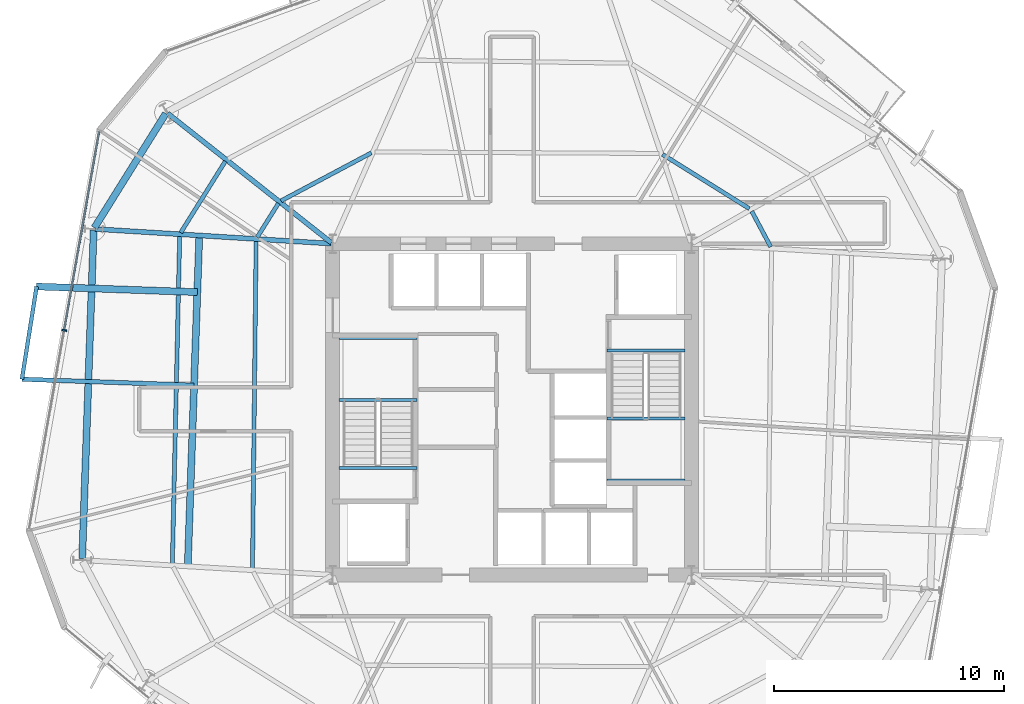
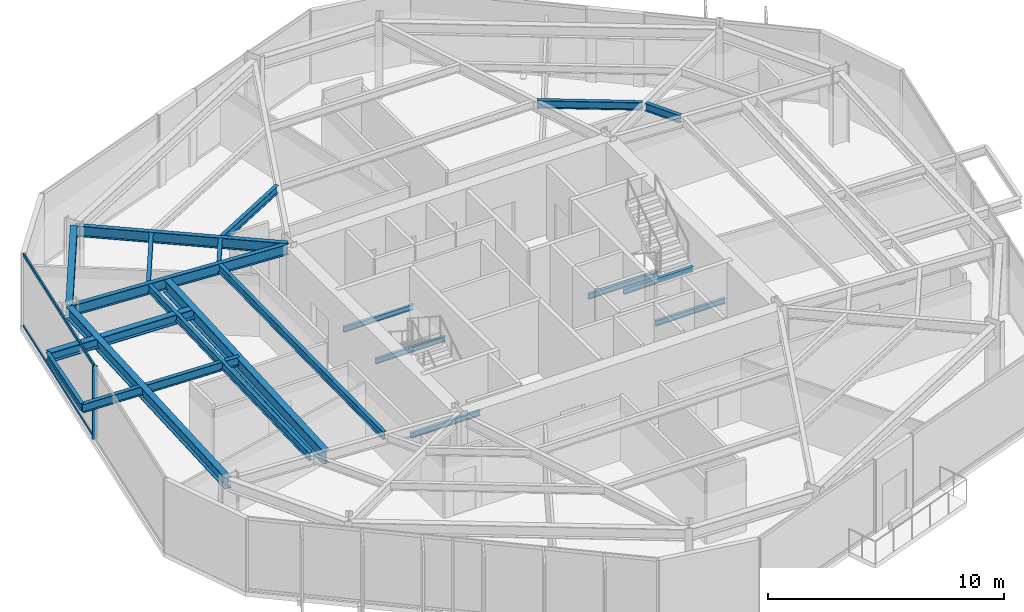
# One storey, part 3 of 13: 21 beams, 3 members, 1 element without a shape of its own.
"""IFC4 building model written with IfcOpenShell, lengths in metres."""

from ifc_helpers import new_model, si_unit, direction, frame, origin, origin_2d, place, context, subcontext, project, spatial, rectangle, i_section, extrude, material, layer, layer_set, material_profile, profile_set, type_object, element, aggregate, save


model = new_model("IFC4")

# Units and contexts
model_context = context("Model", 3, precision=1e-05, world=origin(), true_north=direction((0.0, 1.0)))
body_context = subcontext(model_context, "Body", "Model", "MODEL_VIEW")
ifc_project = project(units=[si_unit("LENGTHUNIT", "METRE"), si_unit("AREAUNIT", "SQUARE_METRE"), si_unit("VOLUMEUNIT", "CUBIC_METRE"), si_unit("PLANEANGLEUNIT", "RADIAN"), si_unit("MASSUNIT", "GRAM", prefix="KILO")], contexts=[model_context])

# Site, building, storey
site_placement = place(None, origin())
site = spatial("IfcSite", under=ifc_project, at=site_placement, CompositionType="ELEMENT")
building_placement = place(site_placement, origin())
building = spatial("IfcBuilding", under=site, at=building_placement, Name="Kranzbogen Civic Tower", CompositionType="ELEMENT")
storey_placement = place(building_placement, frame((0.0, 0.0, 102.39990234375)))
storey = spatial("IfcBuildingStorey", under=building, at=storey_placement, Name="L24", CompositionType="ELEMENT", Elevation=102.39990234375)

# Beam
ifc_material_1 = material(Name="Steel S355", Category="steel")
ifc_material_profile_1 = material_profile(ifc_material_1, i_section(OverallWidth=0.18994140625, OverallDepth=0.449951171875, WebThickness=0.009521484375, FlangeThickness=0.0146484375, at=origin_2d()), Name="IPE 450")
ifc_profile_set_1 = profile_set([ifc_material_profile_1], Name="Steel S355")
beam_type_1 = type_object("IfcBeamType", Name="Braced Terrace Edge Beam IPE 450", PredefinedType="BEAM", material=ifc_profile_set_1)
beam_1_placement = place(storey_placement, frame((11.177001953125, 26.047119140625, 3.525146484375), z_axis=(-0.999388136225, 0.03497646597, 0.0), x_axis=(-0.03497646597, -0.999388136225, 0.0)))
element("IfcBeam", 1, at=beam_1_placement, inside=storey, type_object=beam_type_1, Name="L25 back-spanned terrace beam L25-TB2-2", PredefinedType="BEAM", context=body_context, shape_type="SweptSolid", body=[
    extrude(i_section(OverallWidth=0.18994140625, OverallDepth=0.449951171875, WebThickness=0.009521484375, FlangeThickness=0.0146484375, at=origin_2d()), origin(), (0.0, 0.0, 1.0), 7.48974609375),
])

# Curtain wall, members
ifc_material_2 = material(Name="Pale Anodised Aluminium", Category="aluminium")
ifc_layer = layer(ifc_material_2, 0.219970703125, Name="Pale Anodised Aluminium")
ifc_layer_set = layer_set([ifc_layer], Name="Pale Anodised Aluminium")
curtain_wall_type = type_object("IfcCurtainWallType", Name="Zone 2 Stick Curtain Wall System CW-03", PredefinedType="USERDEFINED", material=ifc_layer_set)
curtain_wall_placement = place(storey_placement, origin())
curtain_wall = element("IfcCurtainWall", 2, at=curtain_wall_placement, inside=storey, type_object=curtain_wall_type, Name="L24 curtain wall CW-L24-F3", ObjectType="STICK CURTAIN WALL", PredefinedType="USERDEFINED")
ifc_material_profile_2 = material_profile(ifc_material_2, rectangle(XDim=0.074951171875, YDim=0.219970703125, at=origin_2d()), Name="ALU-M 75x220")
ifc_profile_set_2 = profile_set([ifc_material_profile_2], Name="Pale Anodised Aluminium")
member_type_1 = type_object("IfcMemberType", Name="Curtain Wall Mullion ALU-M 75x220", PredefinedType="MULLION", material=ifc_profile_set_2)
member_1_placement = place(storey_placement, frame((5.528076171875, 28.43359375, 0.0), z_axis=(0.0, 0.0, 1.0), x_axis=(-0.173633588769, -0.984810325317, 0.0)))
member_1 = element("IfcMember", 3, at=member_1_placement, type_object=member_type_1, Name="CW-03 mullion 2", PredefinedType="MULLION", context=body_context, shape_type="SweptSolid", body=[
    extrude(rectangle(XDim=0.074951171875, YDim=0.219970703125, at=origin_2d()), origin(), (0.0, 0.0, 1.0), 3.760009765625),
])
ifc_material_profile_3 = material_profile(ifc_material_2, rectangle(XDim=0.074951171875, YDim=0.1650390625, at=origin_2d()), Name="ALU-T 75x165")
ifc_profile_set_3 = profile_set([ifc_material_profile_3], Name="Pale Anodised Aluminium")
member_type_2 = type_object("IfcMemberType", Name="Curtain Wall Transom ALU-T 75x165", PredefinedType="USERDEFINED", material=ifc_profile_set_3)
member_2_placement = place(storey_placement, frame((7.051513671875, 37.074951171875, 0.030029296875), z_axis=(-0.173627655463, -0.98481137141, 0.0), x_axis=(0.98481137141, -0.173627655463, 0.0)))
member_2 = element("IfcMember", 4, at=member_2_placement, type_object=member_type_2, Name="CW-03 transom 1.1", ObjectType="TRANSOM", PredefinedType="USERDEFINED", context=body_context, shape_type="SweptSolid", body=[
    extrude(rectangle(XDim=0.074951171875, YDim=0.1650390625, at=origin_2d()), origin(), (0.0, 0.0, 1.0), 8.74462890625),
])
member_3_placement = place(storey_placement, frame((7.051513671875, 37.074951171875, 3.72998046875), z_axis=(-0.173627655463, -0.98481137141, 0.0), x_axis=(0.98481137141, -0.173627655463, 0.0)))
member_3 = element("IfcMember", 5, at=member_3_placement, type_object=member_type_2, Name="CW-03 transom 1.2", ObjectType="TRANSOM", PredefinedType="USERDEFINED", context=body_context, shape_type="SweptSolid", body=[
    extrude(rectangle(XDim=0.074951171875, YDim=0.1650390625, at=origin_2d()), origin(), (0.0, 0.0, 1.0), 8.74462890625),
])
aggregate(curtain_wall, [member_1, member_2, member_3])

# Beams
ifc_material_profile_4 = material_profile(ifc_material_1, i_section(OverallWidth=0.300048828125, OverallDepth=0.5, WebThickness=0.014404296875, FlangeThickness=0.028076171875, at=origin_2d()), Name="HEB 500")
ifc_profile_set_4 = profile_set([ifc_material_profile_4], Name="Steel S355")
beam_type_2 = type_object("IfcBeamType", Name="Perimeter Tube Spandrel Beam HEB 500", PredefinedType="SPANDREL", material=ifc_profile_set_4)
beam_2_placement = place(storey_placement, frame((11.318115234375, 30.094970703125, 3.5), z_axis=(-0.999390092976, 0.034920510604, 0.0), x_axis=(-0.034920510604, -0.999390092976, 0.0)))
element("IfcBeam", 6, at=beam_2_placement, inside=storey, type_object=beam_type_2, Name="L25 back-spanned terrace beam L25-TB2-1", PredefinedType="SPANDREL", context=body_context, shape_type="SweptSolid", body=[
    extrude(i_section(OverallWidth=0.300048828125, OverallDepth=0.5, WebThickness=0.014404296875, FlangeThickness=0.028076171875, at=origin_2d()), origin(), (0.0, 0.0, 1.0), 6.9912109375),
])
ifc_material_profile_5 = material_profile(ifc_material_1, i_section(OverallWidth=0.300048828125, OverallDepth=0.60009765625, WebThickness=0.015380859375, FlangeThickness=0.030029296875, at=origin_2d()), Name="HEB 600")
ifc_profile_set_5 = profile_set([ifc_material_profile_5], Name="Steel S355")
beam_type_3 = type_object("IfcBeamType", Name="Perimeter Tube Spandrel Beam HEB 600", PredefinedType="SPANDREL", material=ifc_profile_set_5)
beam_3_placement = place(storey_placement, frame((9.945068359375, 37.85693359375, 3.460205078125), z_axis=(-0.529863902903, -0.848082687242, 0.0), x_axis=(0.848082687242, -0.529863902903, 0.0)))
element("IfcBeam", 7, at=beam_3_placement, inside=storey, type_object=beam_type_3, Name="L24 perimeter spandrel beam 11", PredefinedType="SPANDREL", context=body_context, shape_type="SweptSolid", body=[
    extrude(i_section(OverallWidth=0.300048828125, OverallDepth=0.60009765625, WebThickness=0.015380859375, FlangeThickness=0.030029296875, at=origin_2d()), origin(), (0.0, 0.0, 1.0), 5.850830078125),
])
beam_4_placement = place(storey_placement, frame((6.81103515625, 32.783935546875, 3.460205078125), z_axis=(-0.034924229103, -0.999389963038, 0.0), x_axis=(0.999389963038, -0.034924229103, 0.0)))
element("IfcBeam", 8, at=beam_4_placement, inside=storey, type_object=beam_type_3, Name="L24 perimeter spandrel beam 12", PredefinedType="SPANDREL", context=body_context, shape_type="SweptSolid", body=[
    extrude(i_section(OverallWidth=0.300048828125, OverallDepth=0.60009765625, WebThickness=0.015380859375, FlangeThickness=0.030029296875, at=origin_2d()), origin(), (0.0, 0.0, 1.0), 14.288818359375),
])
ifc_material_profile_6 = material_profile(ifc_material_1, i_section(OverallWidth=0.300048828125, OverallDepth=0.699951171875, WebThickness=0.01708984375, FlangeThickness=0.031982421875, at=origin_2d()), Name="HEB 700")
ifc_profile_set_6 = profile_set([ifc_material_profile_6], Name="Steel S355")
beam_type_4 = type_object("IfcBeamType", Name="Perimeter Tube Spandrel Beam HEB 700", PredefinedType="SPANDREL", material=ifc_profile_set_6)
beam_5_placement = place(storey_placement, frame((11.404052734375, 32.55908203125, 3.400146484375), z_axis=(-0.034868227602, -0.99939191847, 0.0), x_axis=(0.99939191847, -0.034868227602, 0.0)))
element("IfcBeam", 9, at=beam_5_placement, inside=storey, type_object=beam_type_4, Name="L25 balcony back-span header girder L25-TB2", PredefinedType="SPANDREL", context=body_context, shape_type="SweptSolid", body=[
    extrude(i_section(OverallWidth=0.300048828125, OverallDepth=0.699951171875, WebThickness=0.01708984375, FlangeThickness=0.031982421875, at=origin_2d()), origin(), (0.0, 0.0, 1.0), 14.395751953125),
])
ifc_material_profile_7 = material_profile(ifc_material_1, i_section(OverallWidth=0.2099609375, OverallDepth=0.550048828125, WebThickness=0.010986328125, FlangeThickness=0.01708984375, at=origin_2d()), Name="IPE 550")
ifc_profile_set_7 = profile_set([ifc_material_profile_7], Name="Steel S355")
beam_type_5 = type_object("IfcBeamType", Name="Radial Tower Floor Girder IPE 550", PredefinedType="BEAM", material=ifc_profile_set_7)
beam_6_placement = place(storey_placement, frame((10.02392578125, 37.87109375, 3.485107421875), z_axis=(0.78457455683, -0.620034486763, 0.0), x_axis=(0.620034486763, 0.78457455683, 0.0)))
element("IfcBeam", 10, at=beam_6_placement, inside=storey, type_object=beam_type_5, Name="L24 radial floor girder 11", PredefinedType="BEAM", context=body_context, shape_type="SweptSolid", body=[
    extrude(i_section(OverallWidth=0.2099609375, OverallDepth=0.550048828125, WebThickness=0.010986328125, FlangeThickness=0.01708984375, at=origin_2d()), origin(), (0.0, 0.0, 1.0), 9.086669921875),
])
beam_7_placement = place(storey_placement, frame((6.873046875, 32.840087890625, 3.485107421875), z_axis=(0.998086872961, -0.061827130147, 0.0), x_axis=(0.061827130147, 0.998086872961, 0.0)))
element("IfcBeam", 11, at=beam_7_placement, inside=storey, type_object=beam_type_5, Name="L24 radial floor girder 12", PredefinedType="BEAM", context=body_context, shape_type="SweptSolid", body=[
    extrude(i_section(OverallWidth=0.2099609375, OverallDepth=0.550048828125, WebThickness=0.010986328125, FlangeThickness=0.01708984375, at=origin_2d()), origin(), (0.0, 0.0, 1.0), 10.28662109375),
])
ifc_material_profile_8 = material_profile(ifc_material_1, i_section(OverallWidth=0.169921875, OverallDepth=0.360107421875, WebThickness=0.008056640625, FlangeThickness=0.0126953125, at=origin_2d()), Name="IPE 360")
ifc_profile_set_8 = profile_set([ifc_material_profile_8], Name="Steel S355")
beam_type_6 = type_object("IfcBeamType", Name="Secondary Composite Floor Joist IPE 360", PredefinedType="JOIST", material=ifc_profile_set_8)
beam_8_placement = place(storey_placement, frame((4.3310546875, 30.339111328125, 3.570068359375), z_axis=(-0.156641554946, -0.987655518521, 0.0), x_axis=(0.987655518521, -0.156641554946, 0.0)))
element("IfcBeam", 12, at=beam_8_placement, inside=storey, type_object=beam_type_6, Name="L25 terrace outer edge trimmer L25-TB2", PredefinedType="JOIST", context=body_context, shape_type="SweptSolid", body=[
    extrude(i_section(OverallWidth=0.169921875, OverallDepth=0.360107421875, WebThickness=0.008056640625, FlangeThickness=0.0126953125, at=origin_2d()), origin(), (0.0, 0.0, 1.0), 4.080322265625),
])
ifc_material_profile_9 = material_profile(ifc_material_1, i_section(OverallWidth=0.179931640625, OverallDepth=0.39990234375, WebThickness=0.008544921875, FlangeThickness=0.013427734375, at=origin_2d()), Name="IPE 400")
ifc_profile_set_9 = profile_set([ifc_material_profile_9], Name="Steel S355")
beam_type_7 = type_object("IfcBeamType", Name="Secondary Composite Floor Joist IPE 400", PredefinedType="JOIST", material=ifc_profile_set_9)
beam_9_placement = place(storey_placement, frame((36.2470703125, 32.06494140625, 3.56005859375), z_axis=(-0.46943723363, 0.882965845139, 0.0), x_axis=(-0.882965845139, -0.46943723363, 0.0)))
element("IfcBeam", 13, at=beam_9_placement, inside=storey, type_object=beam_type_7, Name="L24 secondary floor joist 2.07", PredefinedType="JOIST", context=body_context, shape_type="SweptSolid", body=[
    extrude(i_section(OverallWidth=0.179931640625, OverallDepth=0.39990234375, WebThickness=0.008544921875, FlangeThickness=0.013427734375, at=origin_2d()), origin(), (0.0, 0.0, 1.0), 1.7509765625),
])
beam_10_placement = place(storey_placement, frame((35.320068359375, 33.72412109375, 3.56005859375), z_axis=(-0.848093834398, 0.529846060716, 0.0), x_axis=(-0.529846060716, -0.848093834398, 0.0)))
element("IfcBeam", 14, at=beam_10_placement, inside=storey, type_object=beam_type_7, Name="L24 secondary floor joist 2.08", PredefinedType="JOIST", context=body_context, shape_type="SweptSolid", body=[
    extrude(i_section(OverallWidth=0.179931640625, OverallDepth=0.39990234375, WebThickness=0.008544921875, FlangeThickness=0.013427734375, at=origin_2d()), origin(), (0.0, 0.0, 1.0), 4.4501953125),
])
beam_11_placement = place(storey_placement, frame((18.888916015625, 36.153076171875, 3.56005859375), z_axis=(-0.882991399158, -0.469389165844, 0.0), x_axis=(0.469389165844, -0.882991399158, 0.0)))
element("IfcBeam", 15, at=beam_11_placement, inside=storey, type_object=beam_type_7, Name="L24 secondary floor joist 2.10", PredefinedType="JOIST", context=body_context, shape_type="SweptSolid", body=[
    extrude(i_section(OverallWidth=0.179931640625, OverallDepth=0.39990234375, WebThickness=0.008544921875, FlangeThickness=0.013427734375, at=origin_2d()), origin(), (0.0, 0.0, 1.0), 4.45068359375),
])
beam_12_placement = place(storey_placement, frame((12.534912109375, 35.784912109375, 3.56005859375), z_axis=(-0.529867065107, -0.848080711557, 0.0), x_axis=(0.848080711557, -0.529867065107, 0.0)))
element("IfcBeam", 16, at=beam_12_placement, inside=storey, type_object=beam_type_7, Name="L24 secondary floor joist 1.11", PredefinedType="JOIST", context=body_context, shape_type="SweptSolid", body=[
    extrude(i_section(OverallWidth=0.179931640625, OverallDepth=0.39990234375, WebThickness=0.008544921875, FlangeThickness=0.013427734375, at=origin_2d()), origin(), (0.0, 0.0, 1.0), 3.6611328125),
])
beam_13_placement = place(storey_placement, frame((14.845947265625, 33.958984375, 3.56005859375), z_axis=(-0.529572623603, -0.84826460278, 0.0), x_axis=(0.84826460278, -0.529572623603, 0.0)))
element("IfcBeam", 17, at=beam_13_placement, inside=storey, type_object=beam_type_7, Name="L24 secondary floor joist 2.11", PredefinedType="JOIST", context=body_context, shape_type="SweptSolid", body=[
    extrude(i_section(OverallWidth=0.179931640625, OverallDepth=0.39990234375, WebThickness=0.008544921875, FlangeThickness=0.013427734375, at=origin_2d()), origin(), (0.0, 0.0, 1.0), 1.75048828125),
])
beam_14_placement = place(storey_placement, frame((10.551025390625, 32.531982421875, 3.56005859375), z_axis=(-0.022402523442, -0.999749031979, 0.0), x_axis=(0.999749031979, -0.022402523442, 0.0)))
element("IfcBeam", 18, at=beam_14_placement, inside=storey, type_object=beam_type_7, Name="L24 secondary floor joist 1.12", PredefinedType="JOIST", context=body_context, shape_type="SweptSolid", body=[
    extrude(i_section(OverallWidth=0.179931640625, OverallDepth=0.39990234375, WebThickness=0.008544921875, FlangeThickness=0.013427734375, at=origin_2d()), origin(), (0.0, 0.0, 1.0), 14.24365234375),
])
beam_15_placement = place(storey_placement, frame((13.875, 32.325927734375, 3.56005859375), z_axis=(-0.011160516663, -0.999937719494, 0.0), x_axis=(0.999937719494, -0.011160516663, 0.0)))
element("IfcBeam", 19, at=beam_15_placement, inside=storey, type_object=beam_type_7, Name="L24 secondary floor joist 2.12", PredefinedType="JOIST", context=body_context, shape_type="SweptSolid", body=[
    extrude(i_section(OverallWidth=0.179931640625, OverallDepth=0.39990234375, WebThickness=0.008544921875, FlangeThickness=0.013427734375, at=origin_2d()), origin(), (0.0, 0.0, 1.0), 14.240966796875),
])
ifc_material_profile_10 = material_profile(ifc_material_1, i_section(OverallWidth=0.135009765625, OverallDepth=0.27001953125, WebThickness=0.006591796875, FlangeThickness=0.01025390625, at=origin_2d()), Name="IPE 270")
ifc_profile_set_10 = profile_set([ifc_material_profile_10], Name="Steel S355")
beam_type_8 = type_object("IfcBeamType", Name="Stair Landing Support Beam IPE 270", PredefinedType="JOIST", material=ifc_profile_set_10)
for number, where, z_axis, x_axis, name in (
    (20, (20.8798828125, 22.43994140625, -0.375), (-1.0, 0.0, 0.0), (0.0, -1.0, 0.0), "L24 ST-T1 stair floor header beam"),
    (21, (20.8798828125, 25.39990234375, 1.6650390625), (-1.0, 0.0, 0.0), (0.0, -1.0, 0.0), "L24 ST-T1 landing support beam 1.1"),
    (22, (20.8798828125, 28.10009765625, 1.6650390625), (-1.0, 0.0, 0.0), (0.0, -1.0, 0.0), "L24 ST-T1 landing support beam 1.2"),
    (23, (29.1201171875, 27.56005859375, -0.375), (1.0, 0.0, 0.0), (0.0, 1.0, 0.0), "L24 ST-T2 stair floor header beam"),
    (24, (29.1201171875, 24.60009765625, 1.6650390625), (1.0, 0.0, 0.0), (0.0, 1.0, 0.0), "L24 ST-T2 landing support beam 1.1"),
    (25, (29.1201171875, 21.89990234375, 1.6650390625), (1.0, 0.0, 0.0), (0.0, 1.0, 0.0), "L24 ST-T2 landing support beam 1.2"),
):
    element("IfcBeam", number, at=place(storey_placement, frame(where, z_axis=z_axis, x_axis=x_axis)), inside=storey, type_object=beam_type_8, Name=name, PredefinedType="JOIST", context=body_context, shape_type="SweptSolid", body=[
        extrude(i_section(OverallWidth=0.135009765625, OverallDepth=0.27001953125, WebThickness=0.006591796875, FlangeThickness=0.01025390625, at=origin_2d()), origin(), (0.0, 0.0, 1.0), 3.409912109375),
    ])

save(model, "model.ifc")
